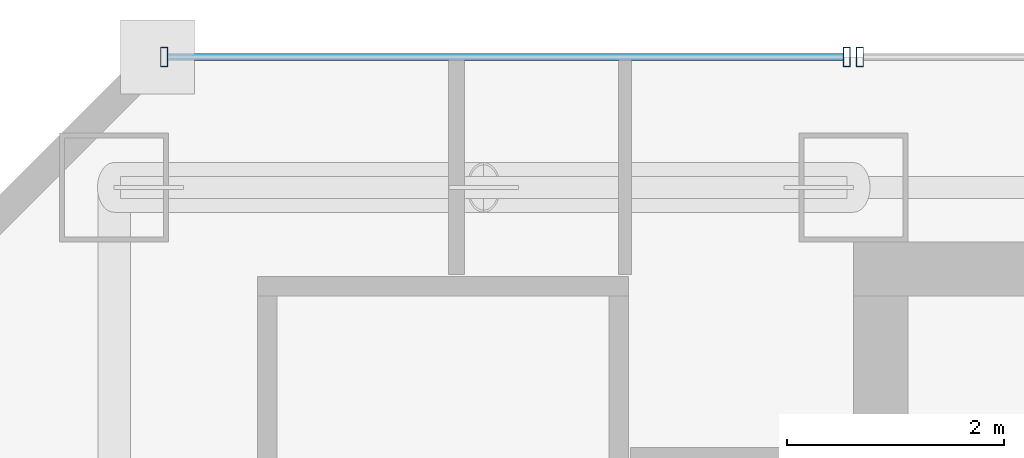
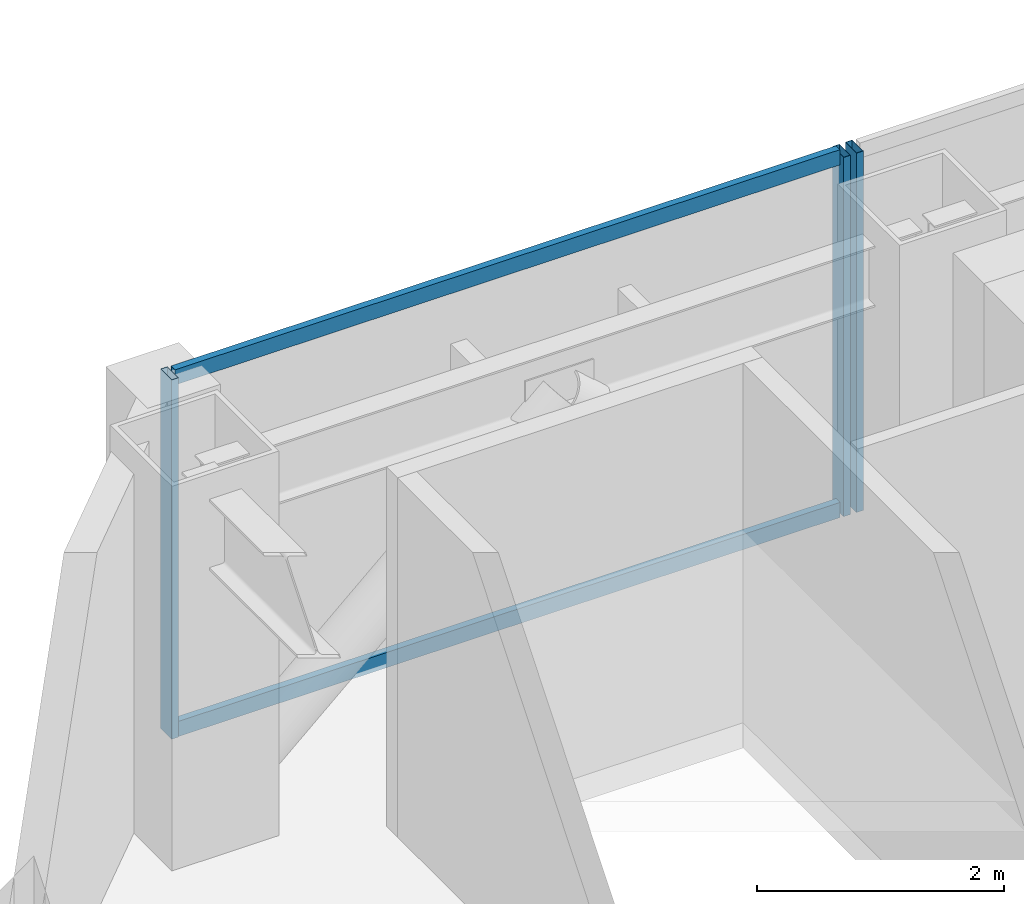
# One storey, part 22 of 36: 5 members, 2 elements without a shape of their own.
"""IFC4 building model written with IfcOpenShell, lengths in metres."""

from ifc_helpers import new_model, si_unit, direction, frame, origin, origin_2d, place, context, subcontext, project, spatial, hollow_rectangle, extrude, material, material_profile, profile_set, type_object, element, aggregate, save


model = new_model("IFC4")

# Units and contexts
model_context = context("Model", 3, precision=1e-05, world=origin(), true_north=direction((0.0, 1.0)))
body_context = subcontext(model_context, "Body", "Model", "MODEL_VIEW")
ifc_project = project(units=[si_unit("LENGTHUNIT", "METRE"), si_unit("AREAUNIT", "SQUARE_METRE"), si_unit("VOLUMEUNIT", "CUBIC_METRE"), si_unit("PLANEANGLEUNIT", "RADIAN"), si_unit("MASSUNIT", "GRAM", prefix="KILO")], contexts=[model_context])

# Site, building, storey
site_placement = place(None, origin())
site = spatial("IfcSite", under=ifc_project, at=site_placement, CompositionType="ELEMENT")
building_placement = place(site_placement, origin())
building = spatial("IfcBuilding", under=site, at=building_placement, Name="Saevonmaru Cultural Tower", CompositionType="ELEMENT")
storey_placement = place(building_placement, frame((0.0, 0.0, 152.39990234375)))
storey = spatial("IfcBuildingStorey", under=building, at=storey_placement, Name="L33", CompositionType="ELEMENT", Elevation=152.39990234375)

# Curtain wall, member
ifc_material = material(Name="Satin Bronze Anodised Aluminium", Category="aluminium")
curtain_wall_type = type_object("IfcCurtainWallType", Name="CW-TYP-A", PredefinedType="NOTDEFINED", material=ifc_material)
curtain_wall_1_placement = place(storey_placement, origin())
curtain_wall_1 = element("IfcCurtainWall", 1, at=curtain_wall_1_placement, inside=storey, type_object=curtain_wall_type, Name="L33 North Spine Unitised Curtain Wall E10B", PredefinedType="NOTDEFINED")
ifc_material_profile_1 = material_profile(ifc_material, hollow_rectangle(XDim=0.06494140625, YDim=0.179931640625, WallThickness=0.00390625, at=origin_2d()), Name="ALU-MULL-180x65x4")
ifc_profile_set_1 = profile_set([ifc_material_profile_1], Name="Satin Bronze Anodised Aluminium")
member_type_1 = type_object("IfcMemberType", Name="ML-CW-180x65", PredefinedType="MULLION", material=ifc_profile_set_1)
member_1_placement = place(storey_placement, frame((13.659912109375, 56.0, 0.0), z_axis=(0.0, 0.0, 1.0), x_axis=(-1.0, 0.0, 0.0)))
member_1 = element("IfcMember", 2, at=member_1_placement, type_object=member_type_1, Name="CW-TW-L33-E10B mullion 4", PredefinedType="MULLION", context=body_context, shape_type="SweptSolid", body=[
    extrude(hollow_rectangle(XDim=0.06494140625, YDim=0.179931640625, WallThickness=0.00390625, at=origin_2d()), origin(), (0.0, 0.0, 1.0), 3.550048828125),
])
aggregate(curtain_wall_1, [member_1])

# Curtain wall, members
curtain_wall_2_placement = place(storey_placement, origin())
curtain_wall_2 = element("IfcCurtainWall", 3, at=curtain_wall_2_placement, inside=storey, type_object=curtain_wall_type, Name="L33 West Braced Bay Spandrel Curtain Wall E10C", PredefinedType="NOTDEFINED")
member_2_placement = place(storey_placement, frame((13.5400390625, 56.0, 0.0), z_axis=(0.0, 0.0, 1.0), x_axis=(-1.0, 0.0, 0.0)))
member_2 = element("IfcMember", 4, at=member_2_placement, type_object=member_type_1, Name="CW-TW-L33-E10C mullion 1", PredefinedType="MULLION", context=body_context, shape_type="SweptSolid", body=[
    extrude(hollow_rectangle(XDim=0.06494140625, YDim=0.179931640625, WallThickness=0.00390625, at=origin_2d()), origin(), (0.0, 0.0, 1.0), 3.550048828125),
])
member_3_placement = place(storey_placement, frame((7.260009765625, 56.0, 0.0), z_axis=(0.0, 0.0, 1.0), x_axis=(-1.0, 0.0, 0.0)))
member_3 = element("IfcMember", 5, at=member_3_placement, type_object=member_type_1, Name="CW-TW-L33-E10C mullion 2", PredefinedType="MULLION", context=body_context, shape_type="SweptSolid", body=[
    extrude(hollow_rectangle(XDim=0.06494140625, YDim=0.179931640625, WallThickness=0.00390625, at=origin_2d()), origin(), (0.0, 0.0, 1.0), 3.550048828125),
])
ifc_material_profile_2 = material_profile(ifc_material, hollow_rectangle(XDim=0.06494140625, YDim=0.14990234375, WallThickness=0.00390625, at=origin_2d()), Name="ALU-TRAN-150x65x4")
ifc_profile_set_2 = profile_set([ifc_material_profile_2], Name="Satin Bronze Anodised Aluminium")
member_type_2 = type_object("IfcMemberType", Name="TR-CW-150x65", PredefinedType="USERDEFINED", material=ifc_profile_set_2)
member_4_placement = place(storey_placement, frame((13.507568359375, 56.0, 0.03271484375), z_axis=(-1.0, 0.0, 0.0), x_axis=(0.0, -1.0, 0.0)))
member_4 = element("IfcMember", 6, at=member_4_placement, type_object=member_type_2, Name="CW-TW-L33-E10C transom 1.1", ObjectType="TRANSOM", PredefinedType="USERDEFINED", context=body_context, shape_type="SweptSolid", body=[
    extrude(hollow_rectangle(XDim=0.06494140625, YDim=0.14990234375, WallThickness=0.00390625, at=origin_2d()), origin(), (0.0, 0.0, 1.0), 6.215087890625),
])
member_5_placement = place(storey_placement, frame((13.507568359375, 56.0, 3.517578125), z_axis=(-1.0, 0.0, 0.0), x_axis=(0.0, -1.0, 0.0)))
member_5 = element("IfcMember", 7, at=member_5_placement, type_object=member_type_2, Name="CW-TW-L33-E10C transom 1.2", ObjectType="TRANSOM", PredefinedType="USERDEFINED", context=body_context, shape_type="SweptSolid", body=[
    extrude(hollow_rectangle(XDim=0.06494140625, YDim=0.14990234375, WallThickness=0.00390625, at=origin_2d()), origin(), (0.0, 0.0, 1.0), 6.215087890625),
])
aggregate(curtain_wall_2, [member_2, member_3, member_4, member_5])

save(model, "model.ifc")
